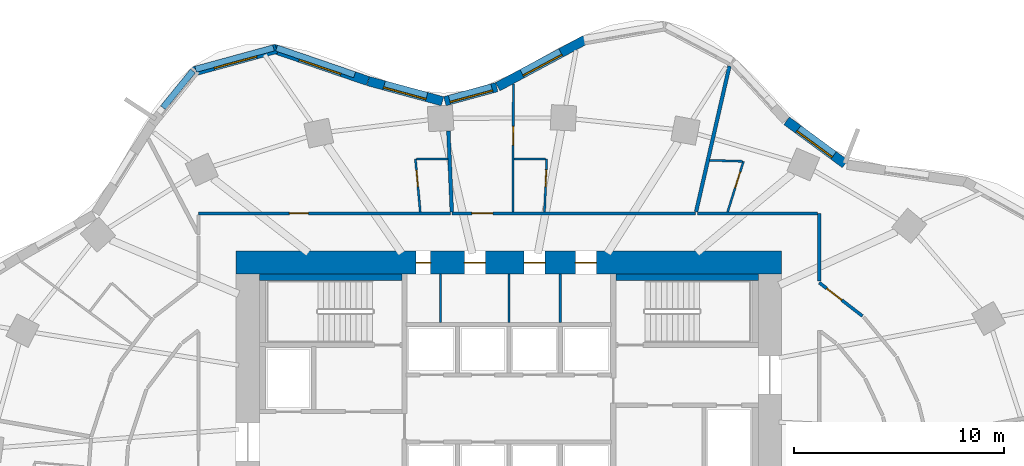
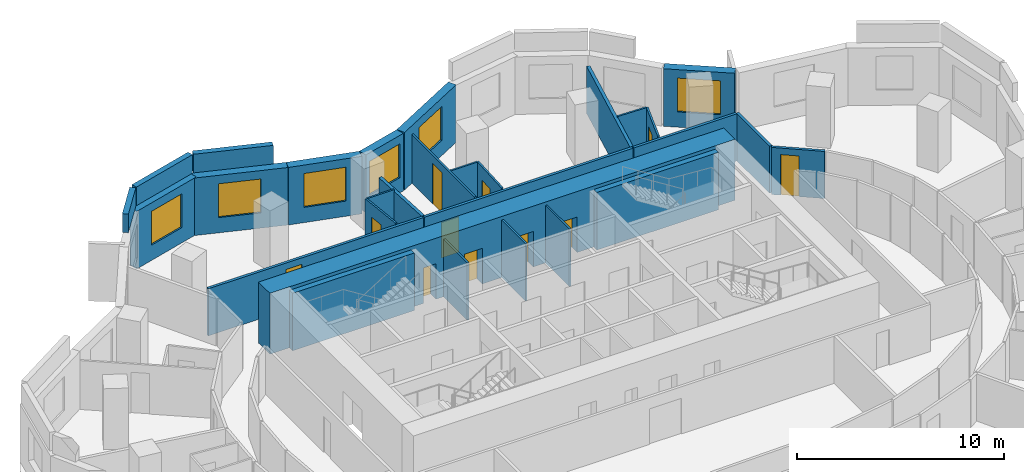
# One storey, part 8 of 10: 29 walls, 11 doors, 6 windows, 17 openings.
"""IFC4 building model written with IfcOpenShell, lengths in metres."""

from ifc_helpers import new_model, si_unit, direction, frame, frame_2d, origin, place, context, subcontext, project, spatial, rectangle, extrude, material, layer, layer_set, type_object, element, fill, save


model = new_model("IFC4")

# Units and contexts
model_context = context("Model", 3, precision=1e-05, world=origin(), true_north=direction((0.0, 1.0)))
body_context = subcontext(model_context, "Body", "Model", "MODEL_VIEW")
ifc_project = project(units=[si_unit("LENGTHUNIT", "METRE"), si_unit("AREAUNIT", "SQUARE_METRE"), si_unit("VOLUMEUNIT", "CUBIC_METRE"), si_unit("PLANEANGLEUNIT", "RADIAN"), si_unit("MASSUNIT", "GRAM", prefix="KILO")], contexts=[model_context])

# Site, building, storey
site_placement = place(None, origin())
site = spatial("IfcSite", under=ifc_project, at=site_placement, CompositionType="ELEMENT")
building_placement = place(site_placement, origin())
building = spatial("IfcBuilding", under=site, at=building_placement, Name="Rubra Terraces Tower", CompositionType="ELEMENT")
storey_placement = place(building_placement, frame((0.0, 0.0, 96.0)))
storey = spatial("IfcBuildingStorey", under=building, at=storey_placement, Name="L22", CompositionType="ELEMENT", Elevation=96.0)

# Walls
ifc_material_1 = material(Name="Twin plasterboard on staggered steel stud, acoustic mineral wool", Category="steel")
ifc_layer_1 = layer(ifc_material_1, 0.175048828125)
ifc_layer_set_1 = layer_set([ifc_layer_1], Name="Twin plasterboard on staggered steel stud, acoustic mineral wool")
wall_type_1 = type_object("IfcWallType", Name="ACOUSTIC PARTY WALL 175", PredefinedType="PARTITIONING", material=ifc_layer_set_1)
wall_1_placement = place(storey_placement, frame((10.518798828125, 20.8251953125, 0.0), z_axis=(0.0, 0.0, 1.0), x_axis=(-0.223124088509, -0.974790049768, 0.0)))
element("IfcWall", 1, at=wall_1_placement, inside=storey, type_object=wall_type_1, Name="PARTITION", PredefinedType="PARTITIONING", context=body_context, shape_type="SweptSolid", body=[
    extrude(rectangle(XDim=7.1318359375, YDim=0.175048828125, at=frame_2d((3.56591796875, 0.0))), origin(), (0.0, 0.0, 1.0), 2.783935546875),
])
wall_2_placement = place(storey_placement, frame((-2.88232421875, 17.732177734375, 0.0), z_axis=(0.0, 0.0, 1.0), x_axis=(0.04199090748, -0.999117992876, 0.0)))
element("IfcWall", 2, at=wall_2_placement, inside=storey, type_object=wall_type_1, Name="PARTITION", PredefinedType="PARTITIONING", context=body_context, shape_type="SweptSolid", body=[
    extrude(rectangle(XDim=3.860595703125, YDim=0.175048828125, at=frame_2d((1.93017578125, 0.0))), origin(), (0.0, 0.0, 1.0), 2.783935546875),
])

# Wall, opening, window
ifc_material_2 = material(Name="Brick masonry red-brown", Category="masonry")
ifc_layer_2 = layer(ifc_material_2, 0.449951171875)
ifc_layer_set_2 = layer_set([ifc_layer_2], Name="Brick masonry red-brown")
wall_type_2 = type_object("IfcWallType", Name="Brick facade wall 450", PredefinedType="SOLIDWALL", material=ifc_layer_set_2)
wall_3_placement = place(storey_placement, frame((16.03564453125, 16.15771484375, 0.0), z_axis=(0.0, 0.0, 1.0), x_axis=(-0.805181432967, 0.593028549064, 0.0)))
wall_3 = element("IfcWall", 3, at=wall_3_placement, inside=storey, type_object=wall_type_2, Name="Facade wall L22 bay 6", PredefinedType="SOLIDWALL", context=body_context, shape_type="SweptSolid", body=[
    extrude(rectangle(XDim=3.468505859375, YDim=0.449951171875, at=frame_2d((1.734375, 0.0))), origin(), (0.0, 0.0, 1.0), 3.39990234375),
])
opening_1_placement = place(wall_3_placement, frame((0.684326171875, 0.0, 0.89990234375)))
opening_1 = element("IfcOpeningElement", 4, at=opening_1_placement, cuts=wall_3, Name="Opening W1", PredefinedType="OPENING", context=body_context, shape_type="SweptSolid", body=[
    extrude(rectangle(XDim=2.10009765625, YDim=2.0, at=frame_2d((1.050048828125, 1.0))), frame((0.0, 0.23486328125, 0.0), z_axis=(0.0, -1.0, 0.0), x_axis=(1.0, 0.0, 0.0)), (0.0, 0.0, 1.0), 0.469970703125),
])
ifc_material_3 = material(Name="Clear glass in aluminium frame", Category="aluminium")
window_type = type_object("IfcWindowType", Name="Fixed deep-set window 2100 x 2000", PartitioningType="SINGLE_PANEL", PredefinedType="WINDOW", material=ifc_material_3)
window_1_placement = place(opening_1_placement, origin())
window_1 = element("IfcWindow", 5, at=window_1_placement, inside=storey, type_object=window_type, Name="Window L22 bay 6", OverallHeight=2.0, OverallWidth=2.10009765625, PartitioningType="SINGLE_PANEL", PredefinedType="WINDOW", context=body_context, shape_type="SweptSolid", body=[
    extrude(rectangle(XDim=2.10009765625, YDim=2.0, at=frame_2d((1.050048828125, 1.0))), frame((0.0, 0.135009765625, 0.0), z_axis=(0.0, -1.0, 0.0), x_axis=(1.0, 0.0, 0.0)), (0.0, 0.0, 1.0), 0.06005859375),
])
fill(opening_1, window_1)

wall_4_placement = place(storey_placement, frame((3.6455078125, 22.07861328125, 0.0), z_axis=(0.0, 0.0, 1.0), x_axis=(-0.881279133897, -0.472596115259, 0.0)))
wall_4 = element("IfcWall", 6, at=wall_4_placement, inside=storey, type_object=wall_type_2, Name="Facade wall L22 bay 10", PredefinedType="SOLIDWALL", context=body_context, shape_type="SweptSolid", body=[
    extrude(rectangle(XDim=4.736572265625, YDim=0.449951171875, at=frame_2d((2.3681640625, 0.0))), origin(), (0.0, 0.0, 1.0), 3.39990234375),
])
opening_2_placement = place(wall_4_placement, frame((1.318115234375, 0.0, 0.89990234375)))
opening_2 = element("IfcOpeningElement", 7, at=opening_2_placement, cuts=wall_4, Name="Opening W1", PredefinedType="OPENING", context=body_context, shape_type="SweptSolid", body=[
    extrude(rectangle(XDim=2.10009765625, YDim=2.0, at=frame_2d((1.050048828125, 1.0))), frame((0.0, 0.23486328125, 0.0), z_axis=(0.0, -1.0, 0.0), x_axis=(1.0, 0.0, 0.0)), (0.0, 0.0, 1.0), 0.469970703125),
])
window_2_placement = place(opening_2_placement, origin())
window_2 = element("IfcWindow", 8, at=window_2_placement, inside=storey, type_object=window_type, Name="Window L22 bay 10", OverallHeight=2.0, OverallWidth=2.10009765625, PartitioningType="SINGLE_PANEL", PredefinedType="WINDOW", context=body_context, shape_type="SweptSolid", body=[
    extrude(rectangle(XDim=2.10009765625, YDim=2.0, at=frame_2d((1.050048828125, 1.0))), frame((0.0, 0.135009765625, 0.0), z_axis=(0.0, -1.0, 0.0), x_axis=(1.0, 0.0, 0.0)), (0.0, 0.0, 1.0), 0.06005859375),
])
fill(opening_2, window_2)

wall_5_placement = place(storey_placement, frame((-0.576171875, 19.8212890625, 0.0), z_axis=(0.0, 0.0, 1.0), x_axis=(-0.965009398019, -0.262215296532, 0.0)))
wall_5 = element("IfcWall", 9, at=wall_5_placement, inside=storey, type_object=wall_type_2, Name="Facade wall L22 bay 11", PredefinedType="SOLIDWALL", context=body_context, shape_type="SweptSolid", body=[
    extrude(rectangle(XDim=2.565185546875, YDim=0.449951171875, at=frame_2d((1.28271484375, 0.0))), origin(), (0.0, 0.0, 1.0), 3.39990234375),
])
opening_3_placement = place(wall_5_placement, frame((0.232666015625, 0.0, 0.89990234375)))
opening_3 = element("IfcOpeningElement", 10, at=opening_3_placement, cuts=wall_5, Name="Opening W1", PredefinedType="OPENING", context=body_context, shape_type="SweptSolid", body=[
    extrude(rectangle(XDim=2.10009765625, YDim=2.0, at=frame_2d((1.050048828125, 1.0))), frame((0.0, 0.23486328125, 0.0), z_axis=(0.0, -1.0, 0.0), x_axis=(1.0, 0.0, 0.0)), (0.0, 0.0, 1.0), 0.469970703125),
])
window_3_placement = place(opening_3_placement, origin())
window_3 = element("IfcWindow", 11, at=window_3_placement, inside=storey, type_object=window_type, Name="Window L22 bay 11", OverallHeight=2.0, OverallWidth=2.10009765625, PartitioningType="SINGLE_PANEL", PredefinedType="WINDOW", context=body_context, shape_type="SweptSolid", body=[
    extrude(rectangle(XDim=2.10009765625, YDim=2.0, at=frame_2d((1.050048828125, 1.0))), frame((0.0, 0.135009765625, 0.0), z_axis=(0.0, -1.0, 0.0), x_axis=(1.0, 0.0, 0.0)), (0.0, 0.0, 1.0), 0.06005859375),
])
fill(opening_3, window_3)

wall_6_placement = place(storey_placement, frame((-3.164306640625, 19.147216796875, 0.0), z_axis=(0.0, 0.0, 1.0), x_axis=(-0.965039479998, 0.262104563191, 0.0)))
wall_6 = element("IfcWall", 12, at=wall_6_placement, inside=storey, type_object=wall_type_2, Name="Facade wall L22 bay 12", PredefinedType="SOLIDWALL", context=body_context, shape_type="SweptSolid", body=[
    extrude(rectangle(XDim=3.671875, YDim=0.449951171875, at=frame_2d((1.8359375, 0.0))), origin(), (0.0, 0.0, 1.0), 3.39990234375),
])
opening_4_placement = place(wall_6_placement, frame((0.785888671875, 0.0, 0.89990234375)))
opening_4 = element("IfcOpeningElement", 13, at=opening_4_placement, cuts=wall_6, Name="Opening W1", PredefinedType="OPENING", context=body_context, shape_type="SweptSolid", body=[
    extrude(rectangle(XDim=2.10009765625, YDim=2.0, at=frame_2d((1.050048828125, 1.0))), frame((0.0, 0.23486328125, 0.0), z_axis=(0.0, -1.0, 0.0), x_axis=(1.0, 0.0, 0.0)), (0.0, 0.0, 1.0), 0.469970703125),
])
window_4_placement = place(opening_4_placement, origin())
window_4 = element("IfcWindow", 14, at=window_4_placement, inside=storey, type_object=window_type, Name="Window L22 bay 12", OverallHeight=2.0, OverallWidth=2.10009765625, PartitioningType="SINGLE_PANEL", PredefinedType="WINDOW", context=body_context, shape_type="SweptSolid", body=[
    extrude(rectangle(XDim=2.10009765625, YDim=2.0, at=frame_2d((1.050048828125, 1.0))), frame((0.0, 0.135009765625, 0.0), z_axis=(0.0, -1.0, 0.0), x_axis=(1.0, 0.0, 0.0)), (0.0, 0.0, 1.0), 0.06005859375),
])
fill(opening_4, window_4)

wall_7_placement = place(storey_placement, frame((-6.722900390625, 20.114013671875, 0.0), z_axis=(0.0, 0.0, 1.0), x_axis=(-0.945947299026, 0.324320377815, 0.0)))
wall_7 = element("IfcWall", 15, at=wall_7_placement, inside=storey, type_object=wall_type_2, Name="Facade wall L22 bay 13", PredefinedType="SOLIDWALL", context=body_context, shape_type="SweptSolid", body=[
    extrude(rectangle(XDim=4.74462890625, YDim=0.449951171875, at=frame_2d((2.372314453125, 0.0))), origin(), (0.0, 0.0, 1.0), 3.39990234375),
])
opening_5_placement = place(wall_7_placement, frame((1.322265625, 0.0, 0.89990234375)))
opening_5 = element("IfcOpeningElement", 16, at=opening_5_placement, cuts=wall_7, Name="Opening W1", PredefinedType="OPENING", context=body_context, shape_type="SweptSolid", body=[
    extrude(rectangle(XDim=2.10009765625, YDim=2.0, at=frame_2d((1.050048828125, 1.0))), frame((0.0, 0.23486328125, 0.0), z_axis=(0.0, -1.0, 0.0), x_axis=(1.0, 0.0, 0.0)), (0.0, 0.0, 1.0), 0.469970703125),
])
window_5_placement = place(opening_5_placement, origin())
window_5 = element("IfcWindow", 17, at=window_5_placement, inside=storey, type_object=window_type, Name="Window L22 bay 13", OverallHeight=2.0, OverallWidth=2.10009765625, PartitioningType="SINGLE_PANEL", PredefinedType="WINDOW", context=body_context, shape_type="SweptSolid", body=[
    extrude(rectangle(XDim=2.10009765625, YDim=2.0, at=frame_2d((1.050048828125, 1.0))), frame((0.0, 0.135009765625, 0.0), z_axis=(0.0, -1.0, 0.0), x_axis=(1.0, 0.0, 0.0)), (0.0, 0.0, 1.0), 0.06005859375),
])
fill(opening_5, window_5)

wall_8_placement = place(storey_placement, frame((-11.08251953125, 21.64990234375, 0.0), z_axis=(0.0, 0.0, 1.0), x_axis=(-0.964483204983, -0.264144179011, 0.0)))
wall_8 = element("IfcWall", 18, at=wall_8_placement, inside=storey, type_object=wall_type_2, Name="Facade wall L22 bay 14", PredefinedType="SOLIDWALL", context=body_context, shape_type="SweptSolid", body=[
    extrude(rectangle(XDim=4.103759765625, YDim=0.449951171875, at=frame_2d((2.0517578125, 0.0))), origin(), (0.0, 0.0, 1.0), 3.39990234375),
])
opening_6_placement = place(wall_8_placement, frame((1.001953125, 0.0, 0.89990234375)))
opening_6 = element("IfcOpeningElement", 19, at=opening_6_placement, cuts=wall_8, Name="Opening W1", PredefinedType="OPENING", context=body_context, shape_type="SweptSolid", body=[
    extrude(rectangle(XDim=2.10009765625, YDim=2.0, at=frame_2d((1.050048828125, 1.0))), frame((0.0, 0.23486328125, 0.0), z_axis=(0.0, -1.0, 0.0), x_axis=(1.0, 0.0, 0.0)), (0.0, 0.0, 1.0), 0.469970703125),
])
window_6_placement = place(opening_6_placement, origin())
window_6 = element("IfcWindow", 20, at=window_6_placement, inside=storey, type_object=window_type, Name="Window L22 bay 14", OverallHeight=2.0, OverallWidth=2.10009765625, PartitioningType="SINGLE_PANEL", PredefinedType="WINDOW", context=body_context, shape_type="SweptSolid", body=[
    extrude(rectangle(XDim=2.10009765625, YDim=2.0, at=frame_2d((1.050048828125, 1.0))), frame((0.0, 0.135009765625, 0.0), z_axis=(0.0, -1.0, 0.0), x_axis=(1.0, 0.0, 0.0)), (0.0, 0.0, 1.0), 0.06005859375),
])
fill(opening_6, window_6)

# Walls
ifc_layer_3 = layer(ifc_material_2, 0.300048828125)
ifc_layer_set_3 = layer_set([ifc_layer_3], Name="Brick masonry red-brown")
wall_type_3 = type_object("IfcWallType", Name="Brick parapet 300", PredefinedType="PARAPET", material=ifc_layer_set_3)
wall_9_placement = place(storey_placement, frame((-7.3515625, 20.40869140625, 3.60009765625), z_axis=(0.0, 0.0, 1.0), x_axis=(-0.945937789937, 0.32434811171, 0.0)))
element("IfcWall", 21, at=wall_9_placement, inside=storey, type_object=wall_type_3, Name="Parapet L22 bay 13", PredefinedType="PARAPET", context=body_context, shape_type="SweptSolid", body=[
    extrude(rectangle(XDim=3.93603515625, YDim=0.300048828125, at=frame_2d((1.968017578125, 0.0))), origin(), (0.0, 0.0, 1.0), 1.099853515625),
])
wall_10_placement = place(storey_placement, frame((-11.220458984375, 21.68994140625, 3.60009765625), z_axis=(0.0, 0.0, 1.0), x_axis=(-0.964484148392, -0.264140734271, 0.0)))
element("IfcWall", 22, at=wall_10_placement, inside=storey, type_object=wall_type_3, Name="Parapet L22 bay 14", PredefinedType="PARAPET", context=body_context, shape_type="SweptSolid", body=[
    extrude(rectangle(XDim=3.855224609375, YDim=0.300048828125, at=frame_2d((1.927734375, 0.0))), origin(), (0.0, 0.0, 1.0), 1.099853515625),
])
wall_11_placement = place(storey_placement, frame((-15.063232421875, 20.590576171875, 3.60009765625), z_axis=(0.0, 0.0, 1.0), x_axis=(-0.631559943447, -0.775327052174, 0.0)))
element("IfcWall", 23, at=wall_11_placement, inside=storey, type_object=wall_type_3, Name="Parapet L22 bay 15", PredefinedType="PARAPET", context=body_context, shape_type="SweptSolid", body=[
    extrude(rectangle(XDim=2.26025390625, YDim=0.300048828125, at=frame_2d((1.130126953125, 0.0))), origin(), (0.0, 0.0, 1.0), 1.099853515625),
])

# Wall, openings, doors
ifc_material_4 = material(Name="Concrete C60", Category="concrete")
ifc_layer_4 = layer(ifc_material_4, 1.10009765625)
ifc_layer_set_4 = layer_set([ifc_layer_4], Name="Concrete C60")
wall_type_4 = type_object("IfcWallType", Name="CORE WALL 1100 C60", PredefinedType="SHEAR", material=ifc_layer_set_4)
wall_12_placement = place(storey_placement, frame((-13.0, 11.449951171875, 0.0), z_axis=(0.0, 0.0, 1.0), x_axis=(1.0, 0.0, 0.0)))
wall_12 = element("IfcWall", 24, at=wall_12_placement, inside=storey, type_object=wall_type_4, Name="CORE WALL N L22", PredefinedType="SHEAR", context=body_context, shape_type="SweptSolid", body=[
    extrude(rectangle(XDim=26.0, YDim=1.10009765625, at=frame_2d((13.0, 0.0))), origin(), (0.0, 0.0, 1.0), 3.60009765625),
])
opening_7_placement = place(wall_12_placement, frame((8.574951171875, 0.0, 0.0)))
opening_7 = element("IfcOpeningElement", 25, at=opening_7_placement, cuts=wall_12, Name="Opening L22.C23", PredefinedType="OPENING", context=body_context, shape_type="SweptSolid", body=[
    extrude(rectangle(XDim=0.699951171875, YDim=2.10009765625, at=frame_2d((0.35009765625, 1.050048828125))), frame((0.0, 0.56005859375, 0.0), z_axis=(0.0, -1.0, 0.0), x_axis=(1.0, 0.0, 0.0)), (0.0, 0.0, 1.0), 1.1201171875),
])
opening_8_placement = place(wall_12_placement, frame((10.875, 0.0, 0.0)))
opening_8 = element("IfcOpeningElement", 26, at=opening_8_placement, cuts=wall_12, Name="Opening L22.C24", PredefinedType="OPENING", context=body_context, shape_type="SweptSolid", body=[
    extrude(rectangle(XDim=1.0, YDim=2.10009765625, at=frame_2d((0.5, 1.050048828125))), frame((0.0, 0.56005859375, 0.0), z_axis=(0.0, -1.0, 0.0), x_axis=(1.0, 0.0, 0.0)), (0.0, 0.0, 1.0), 1.1201171875),
])
opening_9_placement = place(wall_12_placement, frame((13.72509765625, 0.0, 0.0)))
opening_9 = element("IfcOpeningElement", 27, at=opening_9_placement, cuts=wall_12, Name="Opening L22.C25", PredefinedType="OPENING", context=body_context, shape_type="SweptSolid", body=[
    extrude(rectangle(XDim=1.0, YDim=2.10009765625, at=frame_2d((0.5, 1.050048828125))), frame((0.0, 0.56005859375, 0.0), z_axis=(0.0, -1.0, 0.0), x_axis=(1.0, 0.0, 0.0)), (0.0, 0.0, 1.0), 1.1201171875),
])
opening_10_placement = place(wall_12_placement, frame((16.175048828125, 0.0, 0.0)))
opening_10 = element("IfcOpeningElement", 28, at=opening_10_placement, cuts=wall_12, Name="Opening L22.C26", PredefinedType="OPENING", context=body_context, shape_type="SweptSolid", body=[
    extrude(rectangle(XDim=1.0, YDim=2.10009765625, at=frame_2d((0.5, 1.050048828125))), frame((0.0, 0.56005859375, 0.0), z_axis=(0.0, -1.0, 0.0), x_axis=(1.0, 0.0, 0.0)), (0.0, 0.0, 1.0), 1.1201171875),
])
ifc_material_5 = material(Name="Painted steel", Category="steel")
door_type_1 = type_object("IfcDoorType", Name="Fire door 1000x2100 single", OperationType="NOTDEFINED", PredefinedType="DOOR", material=ifc_material_5)
door_1_placement = place(opening_8_placement, origin())
door_1 = element("IfcDoor", 29, at=door_1_placement, inside=storey, type_object=door_type_1, Name="Housekeeping store door", OperationType="SINGLE_SWING_RIGHT", OverallHeight=2.10009765625, OverallWidth=1.0, PredefinedType="DOOR", context=body_context, shape_type="SweptSolid", body=[
    extrude(rectangle(XDim=1.0, YDim=2.10009765625, at=frame_2d((0.5, 1.050048828125))), frame((0.0, 0.02490234375, 0.0), z_axis=(0.0, -1.0, 0.0), x_axis=(1.0, 0.0, 0.0)), (0.0, 0.0, 1.0), 0.050048828125),
])
fill(opening_8, door_1)
door_2_placement = place(opening_9_placement, origin())
door_2 = element("IfcDoor", 30, at=door_2_placement, inside=storey, type_object=door_type_1, Name="Ice and vending room door", OperationType="SINGLE_SWING_LEFT", OverallHeight=2.10009765625, OverallWidth=1.0, PredefinedType="DOOR", context=body_context, shape_type="SweptSolid", body=[
    extrude(rectangle(XDim=1.0, YDim=2.10009765625, at=frame_2d((0.5, 1.050048828125))), frame((0.0, 0.02490234375, 0.0), z_axis=(0.0, -1.0, 0.0), x_axis=(1.0, 0.0, 0.0)), (0.0, 0.0, 1.0), 0.050048828125),
])
fill(opening_9, door_2)
door_3_placement = place(opening_10_placement, origin())
door_3 = element("IfcDoor", 31, at=door_3_placement, inside=storey, type_object=door_type_1, Name="General store door", OperationType="SINGLE_SWING_RIGHT", OverallHeight=2.10009765625, OverallWidth=1.0, PredefinedType="DOOR", context=body_context, shape_type="SweptSolid", body=[
    extrude(rectangle(XDim=1.0, YDim=2.10009765625, at=frame_2d((0.5, 1.050048828125))), frame((0.0, 0.02490234375, 0.0), z_axis=(0.0, -1.0, 0.0), x_axis=(1.0, 0.0, 0.0)), (0.0, 0.0, 1.0), 0.050048828125),
])
fill(opening_10, door_3)
door_type_2 = type_object("IfcDoorType", Name="Riser access door 700x2100 single", OperationType="NOTDEFINED", PredefinedType="DOOR", material=ifc_material_5)
door_4_placement = place(opening_7_placement, origin())
door_4 = element("IfcDoor", 32, at=door_4_placement, inside=storey, type_object=door_type_2, Name="Water and drainage riser door", OperationType="SINGLE_SWING_LEFT", OverallHeight=2.10009765625, OverallWidth=0.699951171875, PredefinedType="DOOR", context=body_context, shape_type="SweptSolid", body=[
    extrude(rectangle(XDim=0.699951171875, YDim=2.10009765625, at=frame_2d((0.35009765625, 1.050048828125))), frame((0.0, 0.02490234375, 0.0), z_axis=(0.0, -1.0, 0.0), x_axis=(1.0, 0.0, 0.0)), (0.0, 0.0, 1.0), 0.050048828125),
])
fill(opening_7, door_4)

# Wall, opening, door
ifc_material_6 = material(Name="Plasterboard on steel stud, mineral wool infill", Category="steel")
ifc_layer_5 = layer(ifc_material_6, 0.14990234375)
ifc_layer_set_5 = layer_set([ifc_layer_5], Name="Plasterboard on steel stud, mineral wool infill")
wall_type_5 = type_object("IfcWallType", Name="CORRIDOR PARTITION 150", PredefinedType="PARTITIONING", material=ifc_layer_set_5)
wall_13_placement = place(storey_placement, frame((8.91064453125, 13.800048828125, 0.0), z_axis=(0.0, 0.0, 1.0), x_axis=(-1.0, 0.0, 0.0)))
wall_13 = element("IfcWall", 33, at=wall_13_placement, inside=storey, type_object=wall_type_5, Name="PARTITION", PredefinedType="PARTITIONING", context=body_context, shape_type="SweptSolid", body=[
    extrude(rectangle(XDim=11.627685546875, YDim=0.14990234375, at=frame_2d((5.81396484375, 0.0))), origin(), (0.0, 0.0, 1.0), 2.783935546875),
])
opening_11_placement = place(wall_13_placement, frame((9.6689453125, 0.0, 0.0)))
opening_11 = element("IfcOpeningElement", 34, at=opening_11_placement, cuts=wall_13, Name="Opening 22-103", PredefinedType="OPENING", context=body_context, shape_type="SweptSolid", body=[
    extrude(rectangle(XDim=1.0, YDim=2.10009765625, at=frame_2d((0.5, 1.050048828125))), frame((0.0, 0.0849609375, 0.0), z_axis=(0.0, -1.0, 0.0), x_axis=(1.0, 0.0, 0.0)), (0.0, 0.0, 1.0), 0.169921875),
])
ifc_material_7 = material(Name="Painted timber door leaf", Category="wood")
door_type_3 = type_object("IfcDoorType", Name="ROOM DOOR 1000 X 2100", OperationType="SINGLE_SWING_LEFT", PredefinedType="DOOR", material=ifc_material_7)
door_5_placement = place(opening_11_placement, origin())
door_5 = element("IfcDoor", 35, at=door_5_placement, inside=storey, type_object=door_type_3, Name="DOOR 22-103", OperationType="SINGLE_SWING_RIGHT", OverallHeight=2.10009765625, OverallWidth=1.0, PredefinedType="DOOR", context=body_context, shape_type="SweptSolid", body=[
    extrude(rectangle(XDim=1.0, YDim=2.10009765625, at=frame_2d((0.5, 1.050048828125))), frame((0.0, 0.02490234375, 0.0), z_axis=(0.0, -1.0, 0.0), x_axis=(1.0, 0.0, 0.0)), (0.0, 0.0, 1.0), 0.050048828125),
])
fill(opening_11, door_5)

wall_14_placement = place(storey_placement, frame((-2.7919921875, 13.800048828125, 0.0), z_axis=(0.0, 0.0, 1.0), x_axis=(-1.0, 0.0, 0.0)))
wall_14 = element("IfcWall", 36, at=wall_14_placement, inside=storey, type_object=wall_type_5, Name="PARTITION", PredefinedType="PARTITIONING", context=body_context, shape_type="SweptSolid", body=[
    extrude(rectangle(XDim=12.008056640625, YDim=0.14990234375, at=frame_2d((6.00390625, 0.0))), origin(), (0.0, 0.0, 1.0), 2.783935546875),
])
opening_12_placement = place(wall_14_placement, frame((6.77099609375, 0.0, 0.0)))
opening_12 = element("IfcOpeningElement", 37, at=opening_12_placement, cuts=wall_14, Name="Opening 22-105", PredefinedType="OPENING", context=body_context, shape_type="SweptSolid", body=[
    extrude(rectangle(XDim=0.89990234375, YDim=2.39990234375, at=frame_2d((0.449951171875, 1.199951171875))), frame((0.0, 0.0849609375, 0.0), z_axis=(0.0, -1.0, 0.0), x_axis=(1.0, 0.0, 0.0)), (0.0, 0.0, 1.0), 0.169921875),
])
ifc_material_8 = material(Name="Veneered timber door leaf, fire-rated", Category="wood")
door_type_4 = type_object("IfcDoorType", Name="SUITE ENTRANCE DOOR 900 X 2400", OperationType="SINGLE_SWING_LEFT", PredefinedType="DOOR", material=ifc_material_8)
door_6_placement = place(opening_12_placement, origin())
door_6 = element("IfcDoor", 38, at=door_6_placement, inside=storey, type_object=door_type_4, Name="DOOR 22-105", OperationType="SINGLE_SWING_RIGHT", OverallHeight=2.39990234375, OverallWidth=0.89990234375, PredefinedType="DOOR", context=body_context, shape_type="SweptSolid", body=[
    extrude(rectangle(XDim=0.89990234375, YDim=2.39990234375, at=frame_2d((0.449951171875, 1.199951171875))), frame((0.0, 0.02490234375, 0.0), z_axis=(0.0, -1.0, 0.0), x_axis=(1.0, 0.0, 0.0)), (0.0, 0.0, 1.0), 0.050048828125),
])
fill(opening_12, door_6)

wall_15_placement = place(storey_placement, frame((16.86181640625, 8.905029296875, 0.0), z_axis=(0.0, 0.0, 1.0), x_axis=(-0.791542595332, 0.611113999001, 0.0)))
wall_15 = element("IfcWall", 39, at=wall_15_placement, inside=storey, type_object=wall_type_5, Name="PARTITION", PredefinedType="PARTITIONING", context=body_context, shape_type="SweptSolid", body=[
    extrude(rectangle(XDim=2.604736328125, YDim=0.14990234375, at=frame_2d((1.30224609375, 0.0))), origin(), (0.0, 0.0, 1.0), 2.783935546875),
])
opening_13_placement = place(wall_15_placement, frame((1.25, 0.0, 0.0)))
opening_13 = element("IfcOpeningElement", 40, at=opening_13_placement, cuts=wall_15, Name="Opening 22-128", PredefinedType="OPENING", context=body_context, shape_type="SweptSolid", body=[
    extrude(rectangle(XDim=0.89990234375, YDim=2.39990234375, at=frame_2d((0.449951171875, 1.199951171875))), frame((0.0, 0.0849609375, 0.0), z_axis=(0.0, -1.0, 0.0), x_axis=(1.0, 0.0, 0.0)), (0.0, 0.0, 1.0), 0.169921875),
])
door_7_placement = place(opening_13_placement, origin())
door_7 = element("IfcDoor", 41, at=door_7_placement, inside=storey, type_object=door_type_4, Name="DOOR 22-128", OperationType="SINGLE_SWING_RIGHT", OverallHeight=2.39990234375, OverallWidth=0.89990234375, PredefinedType="DOOR", context=body_context, shape_type="SweptSolid", body=[
    extrude(rectangle(XDim=0.89990234375, YDim=2.39990234375, at=frame_2d((0.449951171875, 1.199951171875))), frame((0.0, 0.02490234375, 0.0), z_axis=(0.0, -1.0, 0.0), x_axis=(1.0, 0.0, 0.0)), (0.0, 0.0, 1.0), 0.050048828125),
])
fill(opening_13, door_7)

# Walls
wall_16_placement = place(storey_placement, frame((14.800048828125, 10.57177734375, 0.0), z_axis=(0.0, 0.0, 1.0), x_axis=(0.0, 1.0, 0.0)))
element("IfcWall", 42, at=wall_16_placement, inside=storey, type_object=wall_type_5, Name="PARTITION", PredefinedType="PARTITIONING", context=body_context, shape_type="SweptSolid", body=[
    extrude(rectangle(XDim=3.228271484375, YDim=0.14990234375, at=frame_2d((1.6142578125, 0.0))), origin(), (0.0, 0.0, 1.0), 2.783935546875),
])
wall_17_placement = place(storey_placement, frame((14.72509765625, 13.800048828125, 0.0), z_axis=(0.0, 0.0, 1.0), x_axis=(-1.0, 0.0, 0.0)))
element("IfcWall", 43, at=wall_17_placement, inside=storey, type_object=wall_type_5, Name="PARTITION", PredefinedType="PARTITIONING", context=body_context, shape_type="SweptSolid", body=[
    extrude(rectangle(XDim=5.739501953125, YDim=0.14990234375, at=frame_2d((2.86962890625, 0.0))), origin(), (0.0, 0.0, 1.0), 2.783935546875),
])
ifc_material_9 = material(Name="Concrete C40", Category="concrete")
ifc_layer_6 = layer(ifc_material_9, 0.300048828125)
ifc_layer_set_6 = layer_set([ifc_layer_6], Name="Concrete C40")
wall_type_6 = type_object("IfcWallType", Name="Core lining wall 300 concrete", PredefinedType="SOLIDWALL", material=ifc_layer_set_6)
for number, where, z_axis, x_axis, name in (
    (44, (-11.89990234375, 10.75, 0.0), (0.0, 0.0, 1.0), (1.0, 0.0, 0.0), "CORE LINING WALL L22"),
    (45, (11.89990234375, 10.75, 0.0), (0.0, 0.0, 1.0), (-1.0, 0.0, 0.0), "CORE LINING WALL L22"),
):
    element("IfcWall", number, at=place(storey_placement, frame(where, z_axis=z_axis, x_axis=x_axis)), inside=storey, type_object=wall_type_6, Name=name, PredefinedType="SOLIDWALL", context=body_context, shape_type="SweptSolid", body=[
        extrude(rectangle(XDim=6.7998046875, YDim=0.300048828125, at=frame_2d((3.39990234375, 0.0))), origin(), (0.0, 0.0, 1.0), 3.39990234375),
    ])

# Wall, opening, door
ifc_material_10 = material(Name="Plasterboard on steel stud", Category="steel")
ifc_layer_7 = layer(ifc_material_10, 0.10009765625)
ifc_layer_set_7 = layer_set([ifc_layer_7], Name="Plasterboard on steel stud")
wall_type_7 = type_object("IfcWallType", Name="ROOM PARTITION 100", PredefinedType="PARTITIONING", material=ifc_layer_set_7)
wall_18_placement = place(storey_placement, frame((0.21435546875, 19.978759765625, 0.0), z_axis=(0.0, 0.0, 1.0), x_axis=(-0.002359899032, -0.999997215434, 0.0)))
wall_18 = element("IfcWall", 46, at=wall_18_placement, inside=storey, type_object=wall_type_7, Name="PARTITION", PredefinedType="PARTITIONING", context=body_context, shape_type="SweptSolid", body=[
    extrude(rectangle(XDim=6.103759765625, YDim=0.10009765625, at=frame_2d((3.0517578125, 0.0))), origin(), (0.0, 0.0, 1.0), 2.884033203125),
])
opening_14_placement = place(wall_18_placement, frame((2.029052734375, 0.0, 0.0)))
opening_14 = element("IfcOpeningElement", 47, at=opening_14_placement, cuts=wall_18, Name="Opening 22-102", PredefinedType="OPENING", context=body_context, shape_type="SweptSolid", body=[
    extrude(rectangle(XDim=0.89990234375, YDim=2.39990234375, at=frame_2d((0.449951171875, 1.199951171875))), frame((0.0, 0.06005859375, 0.0), z_axis=(0.0, -1.0, 0.0), x_axis=(1.0, 0.0, 0.0)), (0.0, 0.0, 1.0), 0.1201171875),
])
door_8_placement = place(opening_14_placement, origin())
door_8 = element("IfcDoor", 48, at=door_8_placement, inside=storey, type_object=door_type_4, Name="DOOR 22-102", OperationType="SINGLE_SWING_LEFT", OverallHeight=2.39990234375, OverallWidth=0.89990234375, PredefinedType="DOOR", context=body_context, shape_type="SweptSolid", body=[
    extrude(rectangle(XDim=0.89990234375, YDim=2.39990234375, at=frame_2d((0.449951171875, 1.199951171875))), frame((0.0, 0.02490234375, 0.0), z_axis=(0.0, -1.0, 0.0), x_axis=(1.0, 0.0, 0.0)), (0.0, 0.0, 1.0), 0.050048828125),
])
fill(opening_14, door_8)

wall_19_placement = place(storey_placement, frame((1.702880859375, 13.875, 0.0), z_axis=(0.0, 0.0, 1.0), x_axis=(0.040512484472, 0.999179032307, 0.0)))
wall_19 = element("IfcWall", 49, at=wall_19_placement, inside=storey, type_object=wall_type_7, Name="PARTITION", PredefinedType="PARTITIONING", context=body_context, shape_type="SweptSolid", body=[
    extrude(rectangle(XDim=2.52490234375, YDim=0.10009765625, at=frame_2d((1.262451171875, 0.0))), origin(), (0.0, 0.0, 1.0), 2.884033203125),
])
opening_15_placement = place(wall_19_placement, frame((1.199951171875, 0.0, 0.0)))
opening_15 = element("IfcOpeningElement", 50, at=opening_15_placement, cuts=wall_19, Name="Opening 22-101", PredefinedType="OPENING", context=body_context, shape_type="SweptSolid", body=[
    extrude(rectangle(XDim=0.800048828125, YDim=2.10009765625, at=frame_2d((0.39990234375, 1.050048828125))), frame((0.0, 0.06005859375, 0.0), z_axis=(0.0, -1.0, 0.0), x_axis=(1.0, 0.0, 0.0)), (0.0, 0.0, 1.0), 0.1201171875),
])
door_type_5 = type_object("IfcDoorType", Name="BATHROOM DOOR 800 X 2100", OperationType="SINGLE_SWING_LEFT", PredefinedType="DOOR", material=ifc_material_7)
door_9_placement = place(opening_15_placement, origin())
door_9 = element("IfcDoor", 51, at=door_9_placement, inside=storey, type_object=door_type_5, Name="DOOR 22-101", OperationType="SINGLE_SWING_LEFT", OverallHeight=2.10009765625, OverallWidth=0.800048828125, PredefinedType="DOOR", context=body_context, shape_type="SweptSolid", body=[
    extrude(rectangle(XDim=0.800048828125, YDim=2.10009765625, at=frame_2d((0.39990234375, 1.050048828125))), frame((0.0, 0.02490234375, 0.0), z_axis=(0.0, -1.0, 0.0), x_axis=(1.0, 0.0, 0.0)), (0.0, 0.0, 1.0), 0.050048828125),
])
fill(opening_15, door_9)

# Wall
wall_20_placement = place(storey_placement, frame((1.755126953125, 16.39794921875, 0.0), z_axis=(0.0, 0.0, 1.0), x_axis=(-0.999999151462, 0.001302718321, 0.0)))
element("IfcWall", 52, at=wall_20_placement, inside=storey, type_object=wall_type_7, Name="PARTITION", PredefinedType="PARTITIONING", context=body_context, shape_type="SweptSolid", body=[
    extrude(rectangle(XDim=1.499267578125, YDim=0.10009765625, at=frame_2d((0.74951171875, 0.0))), origin(), (0.0, 0.0, 1.0), 2.884033203125),
])

# Wall, opening, door
wall_21_placement = place(storey_placement, frame((-4.223876953125, 13.874755859375, 0.0), z_axis=(0.0, 0.0, 1.0), x_axis=(-0.09127675815, 0.995825563752, 0.0)))
wall_21 = element("IfcWall", 53, at=wall_21_placement, inside=storey, type_object=wall_type_7, Name="PARTITION", PredefinedType="PARTITIONING", context=body_context, shape_type="SweptSolid", body=[
    extrude(rectangle(XDim=2.52490234375, YDim=0.10009765625, at=frame_2d((1.262451171875, 0.0))), origin(), (0.0, 0.0, 1.0), 2.884033203125),
])
opening_16_placement = place(wall_21_placement, frame((1.199951171875, 0.0, 0.0)))
opening_16 = element("IfcOpeningElement", 54, at=opening_16_placement, cuts=wall_21, Name="Opening 22-104", PredefinedType="OPENING", context=body_context, shape_type="SweptSolid", body=[
    extrude(rectangle(XDim=0.800048828125, YDim=2.10009765625, at=frame_2d((0.39990234375, 1.050048828125))), frame((0.0, 0.06005859375, 0.0), z_axis=(0.0, -1.0, 0.0), x_axis=(1.0, 0.0, 0.0)), (0.0, 0.0, 1.0), 0.1201171875),
])
door_10_placement = place(opening_16_placement, origin())
door_10 = element("IfcDoor", 55, at=door_10_placement, inside=storey, type_object=door_type_5, Name="DOOR 22-104", OperationType="SINGLE_SWING_LEFT", OverallHeight=2.10009765625, OverallWidth=0.800048828125, PredefinedType="DOOR", context=body_context, shape_type="SweptSolid", body=[
    extrude(rectangle(XDim=0.800048828125, YDim=2.10009765625, at=frame_2d((0.39990234375, 1.050048828125))), frame((0.0, 0.02490234375, 0.0), z_axis=(0.0, -1.0, 0.0), x_axis=(1.0, 0.0, 0.0)), (0.0, 0.0, 1.0), 0.050048828125),
])
fill(opening_16, door_10)

# Wall
wall_22_placement = place(storey_placement, frame((-4.404296875, 16.389404296875, 0.0), z_axis=(0.0, 0.0, 1.0), x_axis=(0.999986489733, 0.005198110408, 0.0)))
element("IfcWall", 56, at=wall_22_placement, inside=storey, type_object=wall_type_7, Name="PARTITION", PredefinedType="PARTITIONING", context=body_context, shape_type="SweptSolid", body=[
    extrude(rectangle(XDim=1.5029296875, YDim=0.10009765625, at=frame_2d((0.75146484375, 0.0))), origin(), (0.0, 0.0, 1.0), 2.884033203125),
])

# Wall, opening, door
wall_23_placement = place(storey_placement, frame((10.43310546875, 13.87158203125, 0.0), z_axis=(0.0, 0.0, 1.0), x_axis=(0.298770443437, 0.954325008647, 0.0)))
wall_23 = element("IfcWall", 57, at=wall_23_placement, inside=storey, type_object=wall_type_7, Name="PARTITION", PredefinedType="PARTITIONING", context=body_context, shape_type="SweptSolid", body=[
    extrude(rectangle(XDim=2.52490234375, YDim=0.10009765625, at=frame_2d((1.262451171875, 0.0))), origin(), (0.0, 0.0, 1.0), 2.884033203125),
])
opening_17_placement = place(wall_23_placement, frame((1.199951171875, 0.0, 0.0)))
opening_17 = element("IfcOpeningElement", 58, at=opening_17_placement, cuts=wall_23, Name="Opening 22-127", PredefinedType="OPENING", context=body_context, shape_type="SweptSolid", body=[
    extrude(rectangle(XDim=0.800048828125, YDim=2.10009765625, at=frame_2d((0.39990234375, 1.050048828125))), frame((0.0, 0.06005859375, 0.0), z_axis=(0.0, -1.0, 0.0), x_axis=(1.0, 0.0, 0.0)), (0.0, 0.0, 1.0), 0.1201171875),
])
door_11_placement = place(opening_17_placement, origin())
door_11 = element("IfcDoor", 59, at=door_11_placement, inside=storey, type_object=door_type_5, Name="DOOR 22-127", OperationType="SINGLE_SWING_LEFT", OverallHeight=2.10009765625, OverallWidth=0.800048828125, PredefinedType="DOOR", context=body_context, shape_type="SweptSolid", body=[
    extrude(rectangle(XDim=0.800048828125, YDim=2.10009765625, at=frame_2d((0.39990234375, 1.050048828125))), frame((0.0, 0.02490234375, 0.0), z_axis=(0.0, -1.0, 0.0), x_axis=(1.0, 0.0, 0.0)), (0.0, 0.0, 1.0), 0.050048828125),
])
fill(opening_17, door_11)

# Walls
wall_24_placement = place(storey_placement, frame((11.1376953125, 16.28271484375, 0.0), z_axis=(0.0, 0.0, 1.0), x_axis=(-0.99950813006, 0.031360770779, 0.0)))
element("IfcWall", 60, at=wall_24_placement, inside=storey, type_object=wall_type_7, Name="PARTITION", PredefinedType="PARTITIONING", context=body_context, shape_type="SweptSolid", body=[
    extrude(rectangle(XDim=1.572509765625, YDim=0.10009765625, at=frame_2d((0.7861328125, 0.0))), origin(), (0.0, 0.0, 1.0), 2.884033203125),
])
ifc_material_11 = material(Name="Blockwork", Category="masonry")
ifc_layer_8 = layer(ifc_material_11, 0.10009765625)
ifc_layer_set_8 = layer_set([ifc_layer_8], Name="Blockwork")
wall_type_8 = type_object("IfcWallType", Name="Service partition 100 blockwork", PredefinedType="PARTITIONING", material=ifc_layer_set_8)
for number, where, z_axis, x_axis, name in (
    (61, (-3.25, 8.60009765625, 0.0), (0.0, 0.0, 1.0), (0.0, 1.0, 0.0), "SERVICE ROOM PARTITION L22"),
    (62, (0.0, 8.60009765625, 0.0), (0.0, 0.0, 1.0), (0.0, 1.0, 0.0), "SERVICE ROOM PARTITION L22"),
    (63, (2.449951171875, 8.60009765625, 0.0), (0.0, 0.0, 1.0), (0.0, 1.0, 0.0), "SERVICE ROOM PARTITION L22"),
):
    element("IfcWall", number, at=place(storey_placement, frame(where, z_axis=z_axis, x_axis=x_axis)), inside=storey, type_object=wall_type_8, Name=name, PredefinedType="PARTITIONING", context=body_context, shape_type="SweptSolid", body=[
        extrude(rectangle(XDim=2.2998046875, YDim=0.10009765625, at=frame_2d((1.14990234375, 0.0))), origin(), (0.0, 0.0, 1.0), 3.39990234375),
    ])

save(model, "model.ifc")
